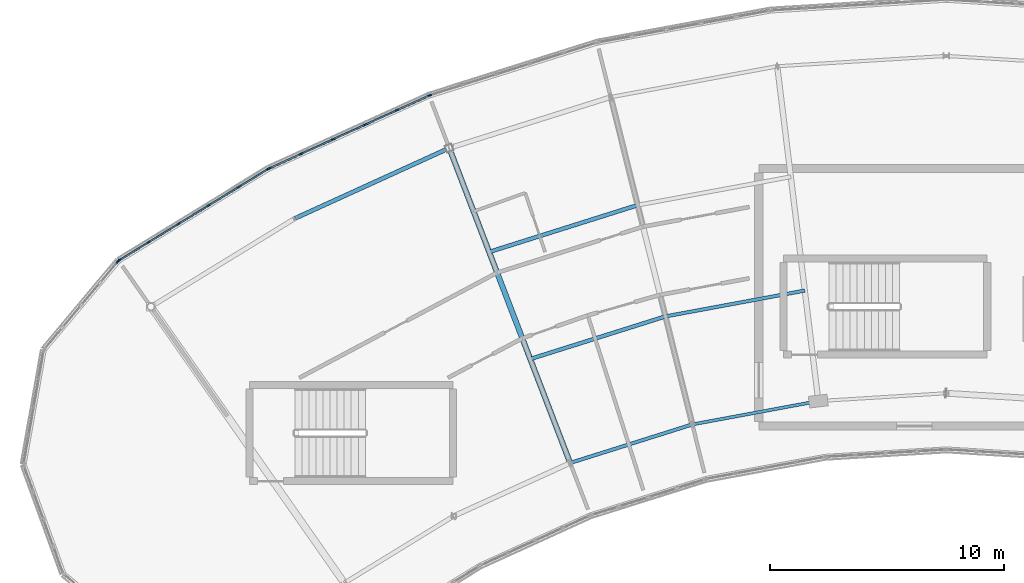
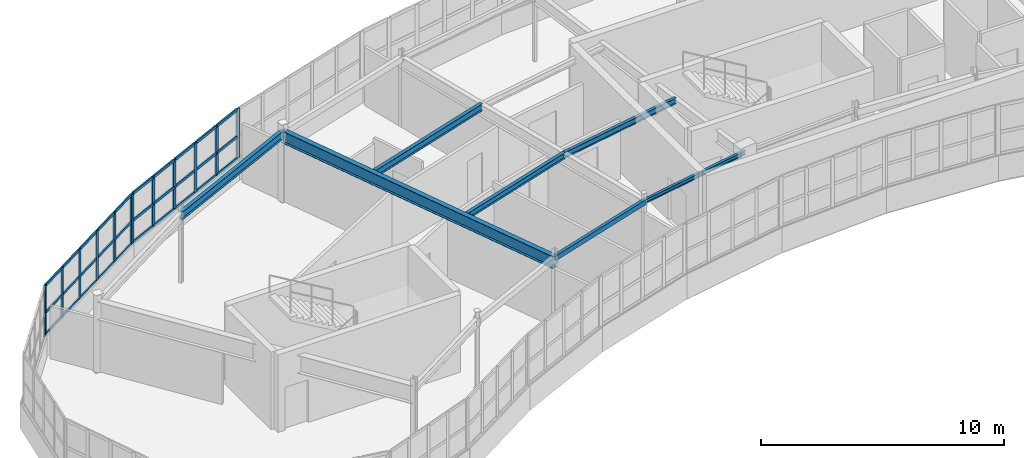
# One storey, part 27 of 65: 43 members, 7 beams, 4 elements without a shape of their own.
"""IFC4 building model written with IfcOpenShell, lengths in metres."""

from ifc_helpers import new_model, si_unit, direction, frame, origin, origin_2d, place, context, subcontext, project, spatial, rectangle, hollow_rectangle, i_section, extrude, material, layer, layer_set, material_profile, profile_set, type_object, element, aggregate, save


model = new_model("IFC4")

# Units and contexts
model_context = context("Model", 3, precision=1e-05, world=origin(), true_north=direction((0.0, 1.0)))
body_context = subcontext(model_context, "Body", "Model", "MODEL_VIEW")
ifc_project = project(units=[si_unit("LENGTHUNIT", "METRE"), si_unit("AREAUNIT", "SQUARE_METRE"), si_unit("VOLUMEUNIT", "CUBIC_METRE"), si_unit("PLANEANGLEUNIT", "RADIAN"), si_unit("MASSUNIT", "GRAM", prefix="KILO")], contexts=[model_context])

# Site, building, storey
site_placement = place(None, origin())
site = spatial("IfcSite", under=ifc_project, at=site_placement, CompositionType="ELEMENT")
building_placement = place(site_placement, origin())
building = spatial("IfcBuilding", under=site, at=building_placement, Name="Tarnwether General Hospital", CompositionType="ELEMENT")
storey_placement = place(building_placement, frame((0.0, 0.0, 22.199951171875)))
storey = spatial("IfcBuildingStorey", under=building, at=storey_placement, Name="L05", CompositionType="ELEMENT", Elevation=22.199951171875)

# Beams
ifc_material_1 = material(Name="Steel Grade 350 (350 MPa)", Category="steel")
ifc_material_profile_1 = material_profile(ifc_material_1, i_section(OverallWidth=0.22900390625, OverallDepth=0.612060546875, WebThickness=0.011962890625, FlangeThickness=0.01953125, at=origin_2d()), Name="610UB125")
ifc_profile_set_1 = profile_set([ifc_material_profile_1], Name="Steel Grade 350 (350 MPa)")
beam_type_1 = type_object("IfcBeamType", Name="BM-G03", PredefinedType="BEAM", material=ifc_profile_set_1)
beam_1_placement = place(storey_placement, frame((70.784912109375, 118.26806640625, 3.254150390625), z_axis=(0.358334838026, -0.933593136145, 0.0), x_axis=(0.933593136145, 0.358334838026, 0.0)))
element("IfcBeam", 1, at=beam_1_placement, inside=storey, type_object=beam_type_1, Name="Curved Ward NW Radial Girder BMG-L05-7078_11827-7594_10482-1982", PredefinedType="BEAM", context=body_context, shape_type="SweptSolid", body=[
    extrude(i_section(OverallWidth=0.22900390625, OverallDepth=0.612060546875, WebThickness=0.011962890625, FlangeThickness=0.01953125, at=origin_2d()), origin(), (0.0, 0.0, 1.0), 14.400390625),
])
ifc_material_2 = material(Name="Steel Grade 350 (350 MPa)", Category="steel")
ifc_material_profile_2 = material_profile(ifc_material_2, i_section(OverallWidth=0.1708984375, OverallDepth=0.35595703125, WebThickness=0.00732421875, FlangeThickness=0.011474609375, at=origin_2d()), Name="360UB50.7")
ifc_profile_set_2 = profile_set([ifc_material_profile_2], Name="Steel Grade 350 (350 MPa)")
beam_type_2 = type_object("IfcBeamType", Name="BM-J04", PredefinedType="JOIST", material=ifc_profile_set_2)
beam_2_placement = place(storey_placement, frame((72.488037109375, 113.8310546875, 3.382080078125), z_axis=(0.953671429399, 0.300850136693, 0.0), x_axis=(-0.300850136693, 0.953671429399, 0.0)))
element("IfcBeam", 2, at=beam_2_placement, inside=storey, type_object=beam_type_2, Name="Curved Ward NW Chord Joist BMG-L05-7249_11383-7883_11583-1993", PredefinedType="JOIST", context=body_context, shape_type="SweptSolid", body=[
    extrude(i_section(OverallWidth=0.1708984375, OverallDepth=0.35595703125, WebThickness=0.00732421875, FlangeThickness=0.011474609375, at=origin_2d()), origin(), (0.0, 0.0, 1.0), 6.64794921875),
])
ifc_material_3 = material(Name="Steel Grade 350 (350 MPa)", Category="steel")
ifc_material_profile_3 = material_profile(ifc_material_3, i_section(OverallWidth=0.1650390625, OverallDepth=0.303955078125, WebThickness=0.006103515625, FlangeThickness=0.01025390625, at=origin_2d()), Name="310UB40.4")
ifc_profile_set_3 = profile_set([ifc_material_profile_3], Name="Steel Grade 350 (350 MPa)")
beam_type_3 = type_object("IfcBeamType", Name="BM-J07", PredefinedType="JOIST", material=ifc_profile_set_3)
beam_3_placement = place(storey_placement, frame((74.241943359375, 109.260986328125, 3.407958984375), z_axis=(0.953725879816, 0.300677478654, 0.0), x_axis=(-0.300677478654, 0.953725879816, 0.0)))
element("IfcBeam", 3, at=beam_3_placement, inside=storey, type_object=beam_type_3, Name="Curved Ward NW Chord Joist BMG-L05-7424_10926-8001_11108-1994", PredefinedType="JOIST", context=body_context, shape_type="SweptSolid", body=[
    extrude(i_section(OverallWidth=0.1650390625, OverallDepth=0.303955078125, WebThickness=0.006103515625, FlangeThickness=0.01025390625, at=origin_2d()), origin(), (0.0, 0.0, 1.0), 6.050048828125),
])
ifc_material_4 = material(Name="Steel Grade 350 (350 MPa)", Category="steel")
ifc_material_profile_4 = material_profile(ifc_material_4, i_section(OverallWidth=0.14892578125, OverallDepth=0.298095703125, WebThickness=0.005615234375, FlangeThickness=0.008056640625, at=origin_2d()), Name="310UB32.0")
ifc_profile_set_4 = profile_set([ifc_material_profile_4], Name="Steel Grade 350 (350 MPa)")
beam_type_4 = type_object("IfcBeamType", Name="BM-J08", PredefinedType="JOIST", material=ifc_profile_set_4)
beam_4_placement = place(storey_placement, frame((80.011962890625, 111.080078125, 3.4111328125), z_axis=(0.983241575901, 0.182307442029, 0.0), x_axis=(-0.182307442029, 0.983241575901, 0.0)))
element("IfcBeam", 4, at=beam_4_placement, inside=storey, type_object=beam_type_4, Name="Curved Ward NW Chord Joist BMG-L05-8001_11108-8596_11218-1998", PredefinedType="JOIST", context=body_context, shape_type="SweptSolid", body=[
    extrude(i_section(OverallWidth=0.14892578125, OverallDepth=0.298095703125, WebThickness=0.005615234375, FlangeThickness=0.008056640625, at=origin_2d()), origin(), (0.0, 0.0, 1.0), 6.05029296875),
])
ifc_material_5 = material(Name="Steel Grade 350 (350 MPa)", Category="steel")
ifc_material_profile_5 = material_profile(ifc_material_5, i_section(OverallWidth=0.177978515625, OverallDepth=0.403076171875, WebThickness=0.007568359375, FlangeThickness=0.010986328125, at=origin_2d()), Name="410UB53.7")
ifc_profile_set_5 = profile_set([ifc_material_profile_5], Name="Steel Grade 350 (350 MPa)")
beam_type_5 = type_object("IfcBeamType", Name="BM-SP2", PredefinedType="SPANDREL", material=ifc_profile_set_5)
beam_5_placement = place(storey_placement, frame((64.20703125, 115.27001953125, 3.358642578125), z_axis=(0.909943842177, 0.414731484316, 0.0), x_axis=(-0.414731484316, 0.909943842177, 0.0)))
element("IfcBeam", 5, at=beam_5_placement, inside=storey, type_object=beam_type_5, Name="Curved Ward NW Outer Spandrel BMG-L05-6421_11527-7078_11827-1989", PredefinedType="SPANDREL", context=body_context, shape_type="SweptSolid", body=[
    extrude(i_section(OverallWidth=0.177978515625, OverallDepth=0.403076171875, WebThickness=0.007568359375, FlangeThickness=0.010986328125, at=origin_2d()), origin(), (0.0, 0.0, 1.0), 7.22900390625),
])
ifc_material_6 = material(Name="Steel Grade C350L0 (350 MPa)", Category="steel")
ifc_material_profile_6 = material_profile(ifc_material_6, hollow_rectangle(XDim=0.14990234375, YDim=0.25, WallThickness=0.010009765625, at=origin_2d()), Name="RHS250x150x10")
ifc_profile_set_6 = profile_set([ifc_material_profile_6], Name="Steel Grade C350L0 (350 MPa)")
beam_type_6 = type_object("IfcBeamType", Name="BM-SP4", PredefinedType="SPANDREL", material=ifc_profile_set_6)
beam_6_placement = place(storey_placement, frame((75.945068359375, 104.823974609375, 3.43505859375), z_axis=(0.953712084488, 0.300721232874, 0.0), x_axis=(-0.300721232874, 0.953712084488, 0.0)))
element("IfcBeam", 6, at=beam_6_placement, inside=storey, type_object=beam_type_6, Name="Curved Ward NW Inner Spandrel BMG-L05-7594_10482-8116_10647-1992", PredefinedType="SPANDREL", context=body_context, shape_type="SweptSolid", body=[
    extrude(hollow_rectangle(XDim=0.14990234375, YDim=0.25, WallThickness=0.010009765625, at=origin_2d()), origin(), (0.0, 0.0, 1.0), 5.47021484375),
])
ifc_material_7 = material(Name="Steel Grade 350 (350 MPa)", Category="steel")
ifc_material_profile_7 = material_profile(ifc_material_7, i_section(OverallWidth=0.133056640625, OverallDepth=0.202880859375, WebThickness=0.005859375, FlangeThickness=0.0078125, at=origin_2d()), Name="200UB25.4")
ifc_profile_set_7 = profile_set([ifc_material_profile_7], Name="Steel Grade 350 (350 MPa)")
beam_type_7 = type_object("IfcBeamType", Name="BM-SP5", PredefinedType="SPANDREL", material=ifc_profile_set_7)
beam_7_placement = place(storey_placement, frame((81.162109375, 106.468994140625, 3.45849609375), z_axis=(0.983244096291, 0.18229384825, 0.0), x_axis=(-0.18229384825, 0.983244096291, 0.0)))
element("IfcBeam", 7, at=beam_7_placement, inside=storey, type_object=beam_type_7, Name="Curved Ward NW Inner Spandrel BMG-L05-8116_10647-8654_10747-1996", PredefinedType="SPANDREL", context=body_context, shape_type="SweptSolid", body=[
    extrude(i_section(OverallWidth=0.133056640625, OverallDepth=0.202880859375, WebThickness=0.005859375, FlangeThickness=0.0078125, at=origin_2d()), origin(), (0.0, 0.0, 1.0), 5.469482421875),
])

# Curtain wall, member
ifc_material_8 = material(Name="Anodised aluminium", Category="aluminium")
ifc_layer_1 = layer(ifc_material_8, 0.159912109375)
ifc_layer_set_1 = layer_set([ifc_layer_1], Name="Anodised aluminium")
curtain_wall_type_1 = type_object("IfcCurtainWallType", Name="CW-05", PredefinedType="NOTDEFINED", material=ifc_layer_set_1)
curtain_wall_1_placement = place(storey_placement, origin())
curtain_wall_1 = element("IfcCurtainWall", 8, at=curtain_wall_1_placement, inside=storey, type_object=curtain_wall_type_1, Name="Curtain Wall CWG-L05-699_1205-0093", PredefinedType="NOTDEFINED")
ifc_material_9 = material(Name="Anodised aluminium", Category="aluminium")
ifc_material_profile_8 = material_profile(ifc_material_9, rectangle(XDim=0.06005859375, YDim=0.159912109375, at=origin_2d()), Name="ALU-MUL-60x160")
ifc_profile_set_8 = profile_set([ifc_material_profile_8], Name="Anodised aluminium")
member_type_1 = type_object("IfcMemberType", Name="CW-ML1", PredefinedType="MULLION", material=ifc_profile_set_8)
member_1_placement = place(storey_placement, frame((69.95361328125, 120.51806640625, 1.050048828125), z_axis=(0.0, 0.0, 1.0), x_axis=(-0.300628613299, 0.953741284032, 0.0)))
member_1 = element("IfcMember", 9, at=member_1_placement, type_object=member_type_1, Name="CW-05 mullion 1", PredefinedType="MULLION", context=body_context, shape_type="SweptSolid", body=[
    extrude(rectangle(XDim=0.06005859375, YDim=0.159912109375, at=origin_2d()), origin(), (0.0, 0.0, 1.0), 2.510009765625),
])
aggregate(curtain_wall_1, [member_1])

# Curtain wall, members
curtain_wall_2_placement = place(storey_placement, origin())
curtain_wall_2 = element("IfcCurtainWall", 10, at=curtain_wall_2_placement, inside=storey, type_object=curtain_wall_type_1, Name="Curtain Wall CWG-L05-631_1174-0094", PredefinedType="NOTDEFINED")
ifc_material_10 = material(Name="Anodised aluminium", Category="aluminium")
ifc_material_profile_9 = material_profile(ifc_material_10, rectangle(XDim=0.070068359375, YDim=0.179931640625, at=origin_2d()), Name="ALU-MUL-70x180")
ifc_profile_set_9 = profile_set([ifc_material_profile_9], Name="Anodised aluminium")
member_type_2 = type_object("IfcMemberType", Name="CW-ML2", PredefinedType="MULLION", material=ifc_profile_set_9)
member_2_placement = place(storey_placement, frame((63.11279296875, 117.404541015625, 1.050048828125), z_axis=(0.0, 0.0, 1.0), x_axis=(-0.414694289316, 0.909960793886, 0.0)))
member_2 = element("IfcMember", 11, at=member_2_placement, type_object=member_type_2, Name="CW-05 mullion 1", PredefinedType="MULLION", context=body_context, shape_type="SweptSolid", body=[
    extrude(rectangle(XDim=0.070068359375, YDim=0.179931640625, at=origin_2d()), origin(), (0.0, 0.0, 1.0), 2.510009765625),
])
member_3_placement = place(storey_placement, frame((64.44970703125, 118.013916015625, 1.050048828125), z_axis=(0.0, 0.0, 1.0), x_axis=(-0.414694289316, 0.909960793886, 0.0)))
member_3 = element("IfcMember", 12, at=member_3_placement, type_object=member_type_2, Name="CW-05 mullion 2", PredefinedType="MULLION", context=body_context, shape_type="SweptSolid", body=[
    extrude(rectangle(XDim=0.070068359375, YDim=0.179931640625, at=origin_2d()), origin(), (0.0, 0.0, 1.0), 2.510009765625),
])
member_4_placement = place(storey_placement, frame((65.818603515625, 118.6376953125, 1.050048828125), z_axis=(0.0, 0.0, 1.0), x_axis=(-0.414694289316, 0.909960793886, 0.0)))
member_4 = element("IfcMember", 13, at=member_4_placement, type_object=member_type_2, Name="CW-05 mullion 3", PredefinedType="MULLION", context=body_context, shape_type="SweptSolid", body=[
    extrude(rectangle(XDim=0.070068359375, YDim=0.179931640625, at=origin_2d()), origin(), (0.0, 0.0, 1.0), 2.510009765625),
])
member_5_placement = place(storey_placement, frame((67.1875, 119.261474609375, 1.050048828125), z_axis=(0.0, 0.0, 1.0), x_axis=(-0.414694289316, 0.909960793886, 0.0)))
member_5 = element("IfcMember", 14, at=member_5_placement, type_object=member_type_2, Name="CW-05 mullion 4", PredefinedType="MULLION", context=body_context, shape_type="SweptSolid", body=[
    extrude(rectangle(XDim=0.070068359375, YDim=0.179931640625, at=origin_2d()), origin(), (0.0, 0.0, 1.0), 2.510009765625),
])
member_6_placement = place(storey_placement, frame((68.55615234375, 119.88525390625, 1.050048828125), z_axis=(0.0, 0.0, 1.0), x_axis=(-0.414694289316, 0.909960793886, 0.0)))
member_6 = element("IfcMember", 15, at=member_6_placement, type_object=member_type_2, Name="CW-05 mullion 5", PredefinedType="MULLION", context=body_context, shape_type="SweptSolid", body=[
    extrude(rectangle(XDim=0.070068359375, YDim=0.179931640625, at=origin_2d()), origin(), (0.0, 0.0, 1.0), 2.510009765625),
])

curtain_wall_3_placement = place(storey_placement, origin())
curtain_wall_3 = element("IfcCurtainWall", 16, at=curtain_wall_3_placement, inside=storey, type_object=curtain_wall_type_1, Name="Curtain Wall CWG-L05-567_1135-0095", PredefinedType="NOTDEFINED")
ifc_material_11 = material(Name="Anodised aluminium", Category="aluminium")
ifc_material_profile_10 = material_profile(ifc_material_11, rectangle(XDim=0.06494140625, YDim=0.169921875, at=origin_2d()), Name="ALU-MUL-65x170")
ifc_profile_set_10 = profile_set([ifc_material_profile_10], Name="Anodised aluminium")
member_type_3 = type_object("IfcMemberType", Name="CW-ML3", PredefinedType="MULLION", material=ifc_profile_set_10)
member_7_placement = place(storey_placement, frame((56.69580078125, 113.47705078125, 1.050048828125), z_axis=(0.0, 0.0, 1.0), x_axis=(-0.522509056361, 0.852633734977, 0.0)))
member_7 = element("IfcMember", 17, at=member_7_placement, type_object=member_type_3, Name="CW-05 mullion 1", PredefinedType="MULLION", context=body_context, shape_type="SweptSolid", body=[
    extrude(rectangle(XDim=0.06494140625, YDim=0.169921875, at=origin_2d()), origin(), (0.0, 0.0, 1.0), 2.510009765625),
])
member_8_placement = place(storey_placement, frame((57.95068359375, 114.24609375, 1.050048828125), z_axis=(0.0, 0.0, 1.0), x_axis=(-0.522509056361, 0.852633734977, 0.0)))
member_8 = element("IfcMember", 18, at=member_8_placement, type_object=member_type_3, Name="CW-05 mullion 2", PredefinedType="MULLION", context=body_context, shape_type="SweptSolid", body=[
    extrude(rectangle(XDim=0.06494140625, YDim=0.169921875, at=origin_2d()), origin(), (0.0, 0.0, 1.0), 2.510009765625),
])
member_9_placement = place(storey_placement, frame((59.233154296875, 115.031982421875, 1.050048828125), z_axis=(0.0, 0.0, 1.0), x_axis=(-0.522509056361, 0.852633734977, 0.0)))
member_9 = element("IfcMember", 19, at=member_9_placement, type_object=member_type_3, Name="CW-05 mullion 3", PredefinedType="MULLION", context=body_context, shape_type="SweptSolid", body=[
    extrude(rectangle(XDim=0.06494140625, YDim=0.169921875, at=origin_2d()), origin(), (0.0, 0.0, 1.0), 2.510009765625),
])
member_10_placement = place(storey_placement, frame((60.515869140625, 115.818115234375, 1.050048828125), z_axis=(0.0, 0.0, 1.0), x_axis=(-0.522509056361, 0.852633734977, 0.0)))
member_10 = element("IfcMember", 20, at=member_10_placement, type_object=member_type_3, Name="CW-05 mullion 4", PredefinedType="MULLION", context=body_context, shape_type="SweptSolid", body=[
    extrude(rectangle(XDim=0.06494140625, YDim=0.169921875, at=origin_2d()), origin(), (0.0, 0.0, 1.0), 2.510009765625),
])
member_11_placement = place(storey_placement, frame((61.79833984375, 116.60400390625, 1.050048828125), z_axis=(0.0, 0.0, 1.0), x_axis=(-0.522509056361, 0.852633734977, 0.0)))
member_11 = element("IfcMember", 21, at=member_11_placement, type_object=member_type_3, Name="CW-05 mullion 5", PredefinedType="MULLION", context=body_context, shape_type="SweptSolid", body=[
    extrude(rectangle(XDim=0.06494140625, YDim=0.169921875, at=origin_2d()), origin(), (0.0, 0.0, 1.0), 2.510009765625),
])
member_12_placement = place(storey_placement, frame((63.05322265625, 117.373046875, 1.050048828125), z_axis=(0.0, 0.0, 1.0), x_axis=(-0.522509056361, 0.852633734977, 0.0)))
member_12 = element("IfcMember", 22, at=member_12_placement, type_object=member_type_3, Name="CW-05 mullion 6", PredefinedType="MULLION", context=body_context, shape_type="SweptSolid", body=[
    extrude(rectangle(XDim=0.06494140625, YDim=0.169921875, at=origin_2d()), origin(), (0.0, 0.0, 1.0), 2.510009765625),
])

# Curtain wall, member
ifc_material_12 = material(Name="Anodised aluminium", Category="aluminium")
ifc_layer_2 = layer(ifc_material_12, 0.159912109375)
ifc_layer_set_2 = layer_set([ifc_layer_2], Name="Anodised aluminium")
curtain_wall_type_2 = type_object("IfcCurtainWallType", Name="CW-03", PredefinedType="NOTDEFINED", material=ifc_layer_set_2)
curtain_wall_4_placement = place(storey_placement, origin())
curtain_wall_4 = element("IfcCurtainWall", 23, at=curtain_wall_4_placement, inside=storey, type_object=curtain_wall_type_2, Name="Curtain Wall CWG-L05-535_1097-0096", PredefinedType="NOTDEFINED")
ifc_material_13 = material(Name="Anodised aluminium", Category="aluminium")
ifc_material_profile_11 = material_profile(ifc_material_13, rectangle(XDim=0.080078125, YDim=0.199951171875, at=origin_2d()), Name="ALU-MUL-80x200")
ifc_profile_set_11 = profile_set([ifc_material_profile_11], Name="Anodised aluminium")
member_type_4 = type_object("IfcMemberType", Name="CW-ML4", PredefinedType="MULLION", material=ifc_profile_set_11)
member_13_placement = place(storey_placement, frame((56.642333984375, 113.429443359375, 1.050048828125), z_axis=(0.0, 0.0, 1.0), x_axis=(-0.765990176896, 0.64285227611, 0.0)))
member_13 = element("IfcMember", 24, at=member_13_placement, type_object=member_type_4, Name="CW-03 mullion 5", PredefinedType="MULLION", context=body_context, shape_type="SweptSolid", body=[
    extrude(rectangle(XDim=0.080078125, YDim=0.199951171875, at=origin_2d()), origin(), (0.0, 0.0, 1.0), 2.510009765625),
])
aggregate(curtain_wall_4, [member_13])

# Member
ifc_material_14 = material(Name="Anodised aluminium", Category="aluminium")
ifc_material_profile_12 = material_profile(ifc_material_14, rectangle(XDim=0.070068359375, YDim=0.139892578125, at=origin_2d()), Name="ALU-TRN-70x140")
ifc_profile_set_12 = profile_set([ifc_material_profile_12], Name="Anodised aluminium")
member_type_5 = type_object("IfcMemberType", Name="CW-TR2", PredefinedType="USERDEFINED", material=ifc_profile_set_12)
member_14_placement = place(storey_placement, frame((63.144775390625, 117.4189453125, 1.0849609375), z_axis=(0.909935750091, 0.414749238344, 0.0), x_axis=(-0.414749238344, 0.909935750091, 0.0)))
member_14 = element("IfcMember", 25, at=member_14_placement, type_object=member_type_5, Name="CW-05 transom 1.1", ObjectType="TRANSOM", PredefinedType="USERDEFINED", context=body_context, shape_type="SweptSolid", body=[
    extrude(rectangle(XDim=0.070068359375, YDim=0.139892578125, at=origin_2d()), origin(), (0.0, 0.0, 1.0), 1.399169921875),
])

member_15_placement = place(storey_placement, frame((63.144775390625, 117.4189453125, 2.179443359375), z_axis=(0.909935750091, 0.414749238344, 0.0), x_axis=(-0.414749238344, 0.909935750091, 0.0)))
member_15 = element("IfcMember", 26, at=member_15_placement, type_object=member_type_5, Name="CW-05 transom 1.2", ObjectType="TRANSOM", PredefinedType="USERDEFINED", context=body_context, shape_type="SweptSolid", body=[
    extrude(rectangle(XDim=0.070068359375, YDim=0.139892578125, at=origin_2d()), origin(), (0.0, 0.0, 1.0), 1.399169921875),
])

member_16_placement = place(storey_placement, frame((63.144775390625, 117.4189453125, 3.525146484375), z_axis=(0.909935750091, 0.414749238344, 0.0), x_axis=(-0.414749238344, 0.909935750091, 0.0)))
member_16 = element("IfcMember", 27, at=member_16_placement, type_object=member_type_5, Name="CW-05 transom 1.3", ObjectType="TRANSOM", PredefinedType="USERDEFINED", context=body_context, shape_type="SweptSolid", body=[
    extrude(rectangle(XDim=0.070068359375, YDim=0.139892578125, at=origin_2d()), origin(), (0.0, 0.0, 1.0), 1.399169921875),
])

member_17_placement = place(storey_placement, frame((64.481689453125, 118.0283203125, 1.0849609375), z_axis=(0.909981346388, 0.414649188141, 0.0), x_axis=(-0.414649188141, 0.909981346388, 0.0)))
member_17 = element("IfcMember", 28, at=member_17_placement, type_object=member_type_5, Name="CW-05 transom 2.1", ObjectType="TRANSOM", PredefinedType="USERDEFINED", context=body_context, shape_type="SweptSolid", body=[
    extrude(rectangle(XDim=0.070068359375, YDim=0.139892578125, at=origin_2d()), origin(), (0.0, 0.0, 1.0), 1.434326171875),
])

member_18_placement = place(storey_placement, frame((64.481689453125, 118.0283203125, 2.179443359375), z_axis=(0.909981346388, 0.414649188141, 0.0), x_axis=(-0.414649188141, 0.909981346388, 0.0)))
member_18 = element("IfcMember", 29, at=member_18_placement, type_object=member_type_5, Name="CW-05 transom 2.2", ObjectType="TRANSOM", PredefinedType="USERDEFINED", context=body_context, shape_type="SweptSolid", body=[
    extrude(rectangle(XDim=0.070068359375, YDim=0.139892578125, at=origin_2d()), origin(), (0.0, 0.0, 1.0), 1.434326171875),
])

member_19_placement = place(storey_placement, frame((64.481689453125, 118.0283203125, 3.525146484375), z_axis=(0.909981346388, 0.414649188141, 0.0), x_axis=(-0.414649188141, 0.909981346388, 0.0)))
member_19 = element("IfcMember", 30, at=member_19_placement, type_object=member_type_5, Name="CW-05 transom 2.3", ObjectType="TRANSOM", PredefinedType="USERDEFINED", context=body_context, shape_type="SweptSolid", body=[
    extrude(rectangle(XDim=0.070068359375, YDim=0.139892578125, at=origin_2d()), origin(), (0.0, 0.0, 1.0), 1.434326171875),
])

member_20_placement = place(storey_placement, frame((65.850341796875, 118.652099609375, 1.0849609375), z_axis=(0.909981346388, 0.414649188141, 0.0), x_axis=(-0.414649188141, 0.909981346388, 0.0)))
member_20 = element("IfcMember", 31, at=member_20_placement, type_object=member_type_5, Name="CW-05 transom 3.1", ObjectType="TRANSOM", PredefinedType="USERDEFINED", context=body_context, shape_type="SweptSolid", body=[
    extrude(rectangle(XDim=0.070068359375, YDim=0.139892578125, at=origin_2d()), origin(), (0.0, 0.0, 1.0), 1.434326171875),
])

member_21_placement = place(storey_placement, frame((65.850341796875, 118.652099609375, 2.179443359375), z_axis=(0.909981346388, 0.414649188141, 0.0), x_axis=(-0.414649188141, 0.909981346388, 0.0)))
member_21 = element("IfcMember", 32, at=member_21_placement, type_object=member_type_5, Name="CW-05 transom 3.2", ObjectType="TRANSOM", PredefinedType="USERDEFINED", context=body_context, shape_type="SweptSolid", body=[
    extrude(rectangle(XDim=0.070068359375, YDim=0.139892578125, at=origin_2d()), origin(), (0.0, 0.0, 1.0), 1.434326171875),
])

member_22_placement = place(storey_placement, frame((65.850341796875, 118.652099609375, 3.525146484375), z_axis=(0.909981346388, 0.414649188141, 0.0), x_axis=(-0.414649188141, 0.909981346388, 0.0)))
member_22 = element("IfcMember", 33, at=member_22_placement, type_object=member_type_5, Name="CW-05 transom 3.3", ObjectType="TRANSOM", PredefinedType="USERDEFINED", context=body_context, shape_type="SweptSolid", body=[
    extrude(rectangle(XDim=0.070068359375, YDim=0.139892578125, at=origin_2d()), origin(), (0.0, 0.0, 1.0), 1.434326171875),
])

member_23_placement = place(storey_placement, frame((67.21923828125, 119.27587890625, 1.0849609375), z_axis=(0.909981346388, 0.414649188141, 0.0), x_axis=(-0.414649188141, 0.909981346388, 0.0)))
member_23 = element("IfcMember", 34, at=member_23_placement, type_object=member_type_5, Name="CW-05 transom 4.1", ObjectType="TRANSOM", PredefinedType="USERDEFINED", context=body_context, shape_type="SweptSolid", body=[
    extrude(rectangle(XDim=0.070068359375, YDim=0.139892578125, at=origin_2d()), origin(), (0.0, 0.0, 1.0), 1.434326171875),
])

member_24_placement = place(storey_placement, frame((67.21923828125, 119.27587890625, 2.179443359375), z_axis=(0.909981346388, 0.414649188141, 0.0), x_axis=(-0.414649188141, 0.909981346388, 0.0)))
member_24 = element("IfcMember", 35, at=member_24_placement, type_object=member_type_5, Name="CW-05 transom 4.2", ObjectType="TRANSOM", PredefinedType="USERDEFINED", context=body_context, shape_type="SweptSolid", body=[
    extrude(rectangle(XDim=0.070068359375, YDim=0.139892578125, at=origin_2d()), origin(), (0.0, 0.0, 1.0), 1.434326171875),
])

member_25_placement = place(storey_placement, frame((67.21923828125, 119.27587890625, 3.525146484375), z_axis=(0.909981346388, 0.414649188141, 0.0), x_axis=(-0.414649188141, 0.909981346388, 0.0)))
member_25 = element("IfcMember", 36, at=member_25_placement, type_object=member_type_5, Name="CW-05 transom 4.3", ObjectType="TRANSOM", PredefinedType="USERDEFINED", context=body_context, shape_type="SweptSolid", body=[
    extrude(rectangle(XDim=0.070068359375, YDim=0.139892578125, at=origin_2d()), origin(), (0.0, 0.0, 1.0), 1.434326171875),
])

member_26_placement = place(storey_placement, frame((68.588134765625, 119.899658203125, 1.0849609375), z_axis=(0.909935750091, 0.414749238344, 0.0), x_axis=(-0.414749238344, 0.909935750091, 0.0)))
member_26 = element("IfcMember", 37, at=member_26_placement, type_object=member_type_5, Name="CW-05 transom 5.1", ObjectType="TRANSOM", PredefinedType="USERDEFINED", context=body_context, shape_type="SweptSolid", body=[
    extrude(rectangle(XDim=0.070068359375, YDim=0.139892578125, at=origin_2d()), origin(), (0.0, 0.0, 1.0), 1.399169921875),
])

member_27_placement = place(storey_placement, frame((68.588134765625, 119.899658203125, 2.179443359375), z_axis=(0.909935750091, 0.414749238344, 0.0), x_axis=(-0.414749238344, 0.909935750091, 0.0)))
member_27 = element("IfcMember", 38, at=member_27_placement, type_object=member_type_5, Name="CW-05 transom 5.2", ObjectType="TRANSOM", PredefinedType="USERDEFINED", context=body_context, shape_type="SweptSolid", body=[
    extrude(rectangle(XDim=0.070068359375, YDim=0.139892578125, at=origin_2d()), origin(), (0.0, 0.0, 1.0), 1.399169921875),
])

member_28_placement = place(storey_placement, frame((68.588134765625, 119.899658203125, 3.525146484375), z_axis=(0.909935750091, 0.414749238344, 0.0), x_axis=(-0.414749238344, 0.909935750091, 0.0)))
member_28 = element("IfcMember", 39, at=member_28_placement, type_object=member_type_5, Name="CW-05 transom 5.3", ObjectType="TRANSOM", PredefinedType="USERDEFINED", context=body_context, shape_type="SweptSolid", body=[
    extrude(rectangle(XDim=0.070068359375, YDim=0.139892578125, at=origin_2d()), origin(), (0.0, 0.0, 1.0), 1.399169921875),
])

aggregate(curtain_wall_2, [member_2, member_3, member_4, member_5, member_6, member_14, member_15, member_16, member_17, member_18, member_19, member_20, member_21, member_22, member_23, member_24, member_25, member_26, member_27, member_28])

ifc_material_15 = material(Name="Anodised aluminium", Category="aluminium")
ifc_material_profile_13 = material_profile(ifc_material_15, rectangle(XDim=0.06494140625, YDim=0.1298828125, at=origin_2d()), Name="ALU-TRN-65x130")
ifc_profile_set_13 = profile_set([ifc_material_profile_13], Name="Anodised aluminium")
member_type_6 = type_object("IfcMemberType", Name="CW-TR3", PredefinedType="USERDEFINED", material=ifc_profile_set_13)
member_29_placement = place(storey_placement, frame((56.723388671875, 113.493896484375, 1.08251953125), z_axis=(0.852616217182, 0.522537640939, 0.0), x_axis=(-0.522537640939, 0.852616217182, 0.0)))
member_29 = element("IfcMember", 40, at=member_29_placement, type_object=member_type_6, Name="CW-05 transom 1.1", ObjectType="TRANSOM", PredefinedType="USERDEFINED", context=body_context, shape_type="SweptSolid", body=[
    extrude(rectangle(XDim=0.06494140625, YDim=0.1298828125, at=origin_2d()), origin(), (0.0, 0.0, 1.0), 1.40673828125),
])

member_30_placement = place(storey_placement, frame((56.723388671875, 113.493896484375, 2.179443359375), z_axis=(0.852616217182, 0.522537640939, 0.0), x_axis=(-0.522537640939, 0.852616217182, 0.0)))
member_30 = element("IfcMember", 41, at=member_30_placement, type_object=member_type_6, Name="CW-05 transom 1.2", ObjectType="TRANSOM", PredefinedType="USERDEFINED", context=body_context, shape_type="SweptSolid", body=[
    extrude(rectangle(XDim=0.06494140625, YDim=0.1298828125, at=origin_2d()), origin(), (0.0, 0.0, 1.0), 1.40673828125),
])

member_31_placement = place(storey_placement, frame((56.723388671875, 113.493896484375, 3.527587890625), z_axis=(0.852616217182, 0.522537640939, 0.0), x_axis=(-0.522537640939, 0.852616217182, 0.0)))
member_31 = element("IfcMember", 42, at=member_31_placement, type_object=member_type_6, Name="CW-05 transom 1.3", ObjectType="TRANSOM", PredefinedType="USERDEFINED", context=body_context, shape_type="SweptSolid", body=[
    extrude(rectangle(XDim=0.06494140625, YDim=0.1298828125, at=origin_2d()), origin(), (0.0, 0.0, 1.0), 1.40673828125),
])

member_32_placement = place(storey_placement, frame((57.978271484375, 114.262939453125, 1.08251953125), z_axis=(0.852606127566, 0.522554103646, 0.0), x_axis=(-0.522554103646, 0.852606127566, 0.0)))
member_32 = element("IfcMember", 43, at=member_32_placement, type_object=member_type_6, Name="CW-05 transom 2.1", ObjectType="TRANSOM", PredefinedType="USERDEFINED", context=body_context, shape_type="SweptSolid", body=[
    extrude(rectangle(XDim=0.06494140625, YDim=0.1298828125, at=origin_2d()), origin(), (0.0, 0.0, 1.0), 1.439453125),
])

member_33_placement = place(storey_placement, frame((57.978271484375, 114.262939453125, 2.179443359375), z_axis=(0.852606127566, 0.522554103646, 0.0), x_axis=(-0.522554103646, 0.852606127566, 0.0)))
member_33 = element("IfcMember", 44, at=member_33_placement, type_object=member_type_6, Name="CW-05 transom 2.2", ObjectType="TRANSOM", PredefinedType="USERDEFINED", context=body_context, shape_type="SweptSolid", body=[
    extrude(rectangle(XDim=0.06494140625, YDim=0.1298828125, at=origin_2d()), origin(), (0.0, 0.0, 1.0), 1.439453125),
])

member_34_placement = place(storey_placement, frame((57.978271484375, 114.262939453125, 3.527587890625), z_axis=(0.852606127566, 0.522554103646, 0.0), x_axis=(-0.522554103646, 0.852606127566, 0.0)))
member_34 = element("IfcMember", 45, at=member_34_placement, type_object=member_type_6, Name="CW-05 transom 2.3", ObjectType="TRANSOM", PredefinedType="USERDEFINED", context=body_context, shape_type="SweptSolid", body=[
    extrude(rectangle(XDim=0.06494140625, YDim=0.1298828125, at=origin_2d()), origin(), (0.0, 0.0, 1.0), 1.439453125),
])

member_35_placement = place(storey_placement, frame((59.260986328125, 115.049072265625, 1.08251953125), z_axis=(0.852635384896, 0.522506364003, 0.0), x_axis=(-0.522506364003, 0.852635384896, 0.0)))
member_35 = element("IfcMember", 46, at=member_35_placement, type_object=member_type_6, Name="CW-05 transom 3.1", ObjectType="TRANSOM", PredefinedType="USERDEFINED", context=body_context, shape_type="SweptSolid", body=[
    extrude(rectangle(XDim=0.06494140625, YDim=0.1298828125, at=origin_2d()), origin(), (0.0, 0.0, 1.0), 1.439208984375),
])

member_36_placement = place(storey_placement, frame((59.260986328125, 115.049072265625, 2.179443359375), z_axis=(0.852635384896, 0.522506364003, 0.0), x_axis=(-0.522506364003, 0.852635384896, 0.0)))
member_36 = element("IfcMember", 47, at=member_36_placement, type_object=member_type_6, Name="CW-05 transom 3.2", ObjectType="TRANSOM", PredefinedType="USERDEFINED", context=body_context, shape_type="SweptSolid", body=[
    extrude(rectangle(XDim=0.06494140625, YDim=0.1298828125, at=origin_2d()), origin(), (0.0, 0.0, 1.0), 1.439208984375),
])

member_37_placement = place(storey_placement, frame((59.260986328125, 115.049072265625, 3.527587890625), z_axis=(0.852635384896, 0.522506364003, 0.0), x_axis=(-0.522506364003, 0.852635384896, 0.0)))
member_37 = element("IfcMember", 48, at=member_37_placement, type_object=member_type_6, Name="CW-05 transom 3.3", ObjectType="TRANSOM", PredefinedType="USERDEFINED", context=body_context, shape_type="SweptSolid", body=[
    extrude(rectangle(XDim=0.06494140625, YDim=0.1298828125, at=origin_2d()), origin(), (0.0, 0.0, 1.0), 1.439208984375),
])

member_38_placement = place(storey_placement, frame((60.54345703125, 115.8349609375, 1.08251953125), z_axis=(0.852681690101, 0.52243079481, 0.0), x_axis=(-0.52243079481, 0.852681690101, 0.0)))
member_38 = element("IfcMember", 49, at=member_38_placement, type_object=member_type_6, Name="CW-05 transom 4.1", ObjectType="TRANSOM", PredefinedType="USERDEFINED", context=body_context, shape_type="SweptSolid", body=[
    extrude(rectangle(XDim=0.06494140625, YDim=0.1298828125, at=origin_2d()), origin(), (0.0, 0.0, 1.0), 1.439453125),
])

member_39_placement = place(storey_placement, frame((60.54345703125, 115.8349609375, 2.179443359375), z_axis=(0.852681690101, 0.52243079481, 0.0), x_axis=(-0.52243079481, 0.852681690101, 0.0)))
member_39 = element("IfcMember", 50, at=member_39_placement, type_object=member_type_6, Name="CW-05 transom 4.2", ObjectType="TRANSOM", PredefinedType="USERDEFINED", context=body_context, shape_type="SweptSolid", body=[
    extrude(rectangle(XDim=0.06494140625, YDim=0.1298828125, at=origin_2d()), origin(), (0.0, 0.0, 1.0), 1.439453125),
])

member_40_placement = place(storey_placement, frame((60.54345703125, 115.8349609375, 3.527587890625), z_axis=(0.852681690101, 0.52243079481, 0.0), x_axis=(-0.52243079481, 0.852681690101, 0.0)))
member_40 = element("IfcMember", 51, at=member_40_placement, type_object=member_type_6, Name="CW-05 transom 4.3", ObjectType="TRANSOM", PredefinedType="USERDEFINED", context=body_context, shape_type="SweptSolid", body=[
    extrude(rectangle(XDim=0.06494140625, YDim=0.1298828125, at=origin_2d()), origin(), (0.0, 0.0, 1.0), 1.439453125),
])

member_41_placement = place(storey_placement, frame((61.826171875, 116.62109375, 1.08251953125), z_axis=(0.852693532392, 0.522411466008, 0.0), x_axis=(-0.522411466008, 0.852693532392, 0.0)))
member_41 = element("IfcMember", 52, at=member_41_placement, type_object=member_type_6, Name="CW-05 transom 5.1", ObjectType="TRANSOM", PredefinedType="USERDEFINED", context=body_context, shape_type="SweptSolid", body=[
    extrude(rectangle(XDim=0.06494140625, YDim=0.1298828125, at=origin_2d()), origin(), (0.0, 0.0, 1.0), 1.40673828125),
])

member_42_placement = place(storey_placement, frame((61.826171875, 116.62109375, 2.179443359375), z_axis=(0.852693532392, 0.522411466008, 0.0), x_axis=(-0.522411466008, 0.852693532392, 0.0)))
member_42 = element("IfcMember", 53, at=member_42_placement, type_object=member_type_6, Name="CW-05 transom 5.2", ObjectType="TRANSOM", PredefinedType="USERDEFINED", context=body_context, shape_type="SweptSolid", body=[
    extrude(rectangle(XDim=0.06494140625, YDim=0.1298828125, at=origin_2d()), origin(), (0.0, 0.0, 1.0), 1.40673828125),
])

member_43_placement = place(storey_placement, frame((61.826171875, 116.62109375, 3.527587890625), z_axis=(0.852693532392, 0.522411466008, 0.0), x_axis=(-0.522411466008, 0.852693532392, 0.0)))
member_43 = element("IfcMember", 54, at=member_43_placement, type_object=member_type_6, Name="CW-05 transom 5.3", ObjectType="TRANSOM", PredefinedType="USERDEFINED", context=body_context, shape_type="SweptSolid", body=[
    extrude(rectangle(XDim=0.06494140625, YDim=0.1298828125, at=origin_2d()), origin(), (0.0, 0.0, 1.0), 1.40673828125),
])

aggregate(curtain_wall_3, [member_7, member_8, member_9, member_10, member_11, member_12, member_29, member_30, member_31, member_32, member_33, member_34, member_35, member_36, member_37, member_38, member_39, member_40, member_41, member_42, member_43])

save(model, "model.ifc")
